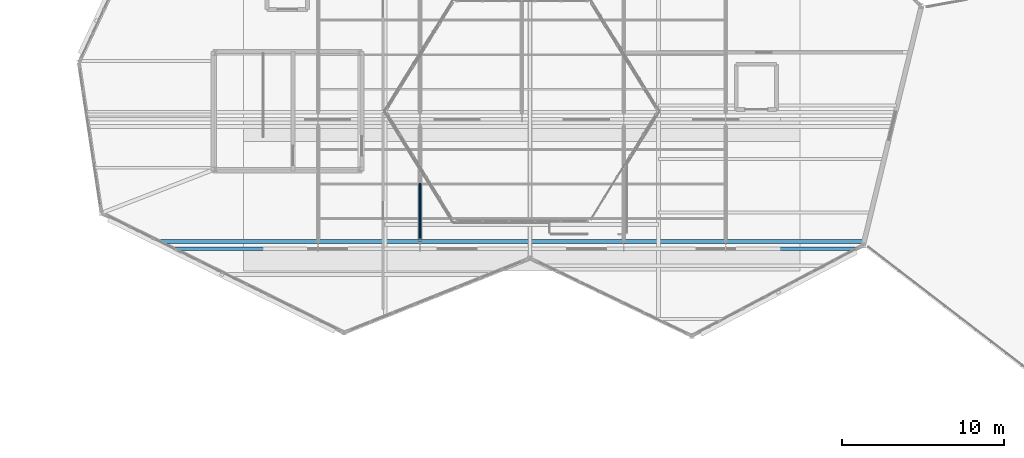
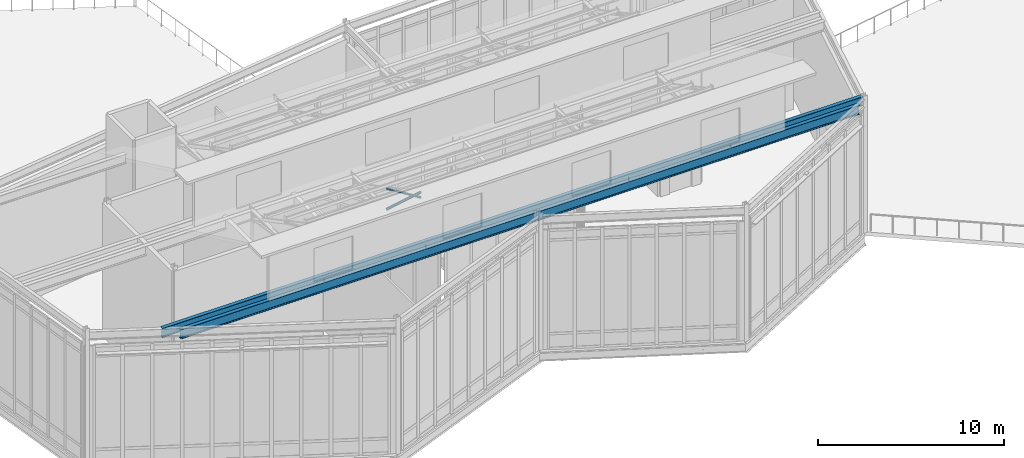
# One storey, part 14 of 66: 2 beams, 2 members.
"""IFC4 building model written with IfcOpenShell, lengths in metres."""

from ifc_helpers import new_model, si_unit, direction, frame, origin, origin_2d, place, context, subcontext, project, spatial, hollow_circle, i_section, extrude, material, material_profile, profile_set, type_object, element, save


model = new_model("IFC4")

# Units and contexts
model_context = context("Model", 3, precision=1e-05, world=origin(), true_north=direction((0.0, 1.0)))
body_context = subcontext(model_context, "Body", "Model", "MODEL_VIEW")
ifc_project = project(units=[si_unit("LENGTHUNIT", "METRE"), si_unit("AREAUNIT", "SQUARE_METRE"), si_unit("VOLUMEUNIT", "CUBIC_METRE"), si_unit("PLANEANGLEUNIT", "RADIAN"), si_unit("MASSUNIT", "GRAM", prefix="KILO")], contexts=[model_context])

# Site, building, storey
site_placement = place(None, origin())
site = spatial("IfcSite", under=ifc_project, at=site_placement, CompositionType="ELEMENT")
building_placement = place(site_placement, origin())
building = spatial("IfcBuilding", under=site, at=building_placement, Name="Tameran Prism Museum", CompositionType="ELEMENT")
storey_placement = place(building_placement, frame((0.0, 0.0, 19.800048828125)))
storey = spatial("IfcBuildingStorey", under=building, at=storey_placement, Name="L04", CompositionType="ELEMENT", Elevation=19.800048828125)

# Beams
ifc_material_1 = material(Name="Steel Grade 300PLUS (300 MPa)", Category="steel")
ifc_material_profile_1 = material_profile(ifc_material_1, i_section(OverallWidth=0.22900390625, OverallDepth=0.612060546875, WebThickness=0.011962890625, FlangeThickness=0.01953125, FilletRadius=0.013916015625, at=origin_2d()))
ifc_profile_set_1 = profile_set([ifc_material_profile_1])
beam_type = type_object("IfcBeamType", Name="BM-UB610A", PredefinedType="BEAM", material=ifc_profile_set_1)
beam_1_placement = place(storey_placement, frame((54.657958984375, 28.43994140625, 8.48388671875), z_axis=(1.0, 0.0, 0.0), x_axis=(0.0, 1.0, 0.0)))
element("IfcBeam", 1, at=beam_1_placement, inside=storey, type_object=beam_type, Name="Sawtooth Support Girder SRG-034", PredefinedType="BEAM", context=body_context, shape_type="SweptSolid", body=[
    extrude(i_section(OverallWidth=0.22900390625, OverallDepth=0.612060546875, WebThickness=0.011962890625, FlangeThickness=0.01953125, FilletRadius=0.013916015625, at=origin_2d()), origin(), (0.0, 0.0, 1.0), 43.458984375),
])
beam_2_placement = place(storey_placement, frame((55.550048828125, 28.0, 8.343994140625), z_axis=(1.0, 0.0, 0.0), x_axis=(0.0, 1.0, 0.0)))
element("IfcBeam", 2, at=beam_2_placement, inside=storey, type_object=beam_type, Name="Sawtooth Support Girder SRG-036", PredefinedType="BEAM", context=body_context, shape_type="SweptSolid", body=[
    extrude(i_section(OverallWidth=0.22900390625, OverallDepth=0.612060546875, WebThickness=0.011962890625, FlangeThickness=0.01953125, FilletRadius=0.013916015625, at=origin_2d()), origin(), (0.0, 0.0, 1.0), 42.0859375),
])

# Members
ifc_material_2 = material(Name="Steel Grade C350L0 (350 MPa)", Category="steel")
ifc_material_profile_2 = material_profile(ifc_material_2, hollow_circle(Radius=0.084228515625, WallThickness=0.007080078125, at=origin_2d()))
ifc_profile_set_2 = profile_set([ifc_material_profile_2])
member_type_1 = type_object("IfcMemberType", Name="MM-BR-CHS168", PredefinedType="BRACE", material=ifc_profile_set_2)
member_1_placement = place(storey_placement, frame((70.699951171875, 32.0, 8.785888671875), z_axis=(0.0, -0.739772474497, 0.672857106656), x_axis=(1.0, 0.0, 0.0)))
element("IfcMember", 3, at=member_1_placement, inside=storey, type_object=member_type_1, Name="Sawtooth Brace STM-0173", PredefinedType="BRACE", context=body_context, shape_type="SweptSolid", body=[
    extrude(hollow_circle(Radius=0.084228515625, WallThickness=0.007080078125, at=origin_2d()), origin(), (0.0, 0.0, 1.0), 4.812255859375),
])
ifc_material_3 = material(Name="Steel Grade C350L0 (350 MPa)", Category="steel")
ifc_material_profile_3 = material_profile(ifc_material_3, hollow_circle(Radius=0.06982421875, WallThickness=0.00634765625, at=origin_2d()))
ifc_profile_set_3 = profile_set([ifc_material_profile_3])
member_type_2 = type_object("IfcMemberType", Name="MM-ST-CHS140", PredefinedType="STRUT", material=ifc_profile_set_3)
member_2_placement = place(storey_placement, frame((70.699951171875, 28.43994140625, 11.703857421875), z_axis=(0.0, 0.914041454577, -0.405620782647), x_axis=(-1.0, 0.0, 0.0)))
element("IfcMember", 4, at=member_2_placement, inside=storey, type_object=member_type_2, Name="Sawtooth Strut STM-0175", PredefinedType="STRUT", context=body_context, shape_type="SweptSolid", body=[
    extrude(hollow_circle(Radius=0.06982421875, WallThickness=0.00634765625, at=origin_2d()), origin(), (0.0, 0.0, 1.0), 3.894775390625),
])

save(model, "model.ifc")
